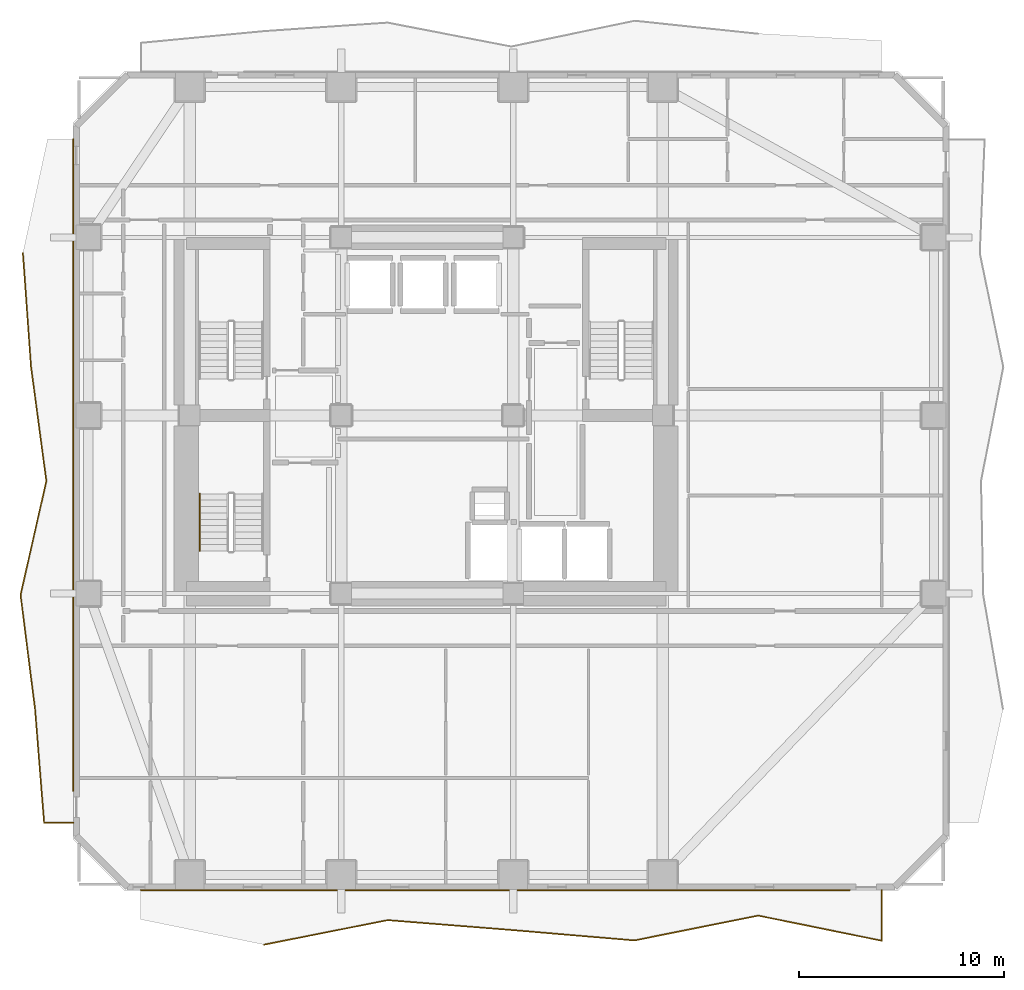
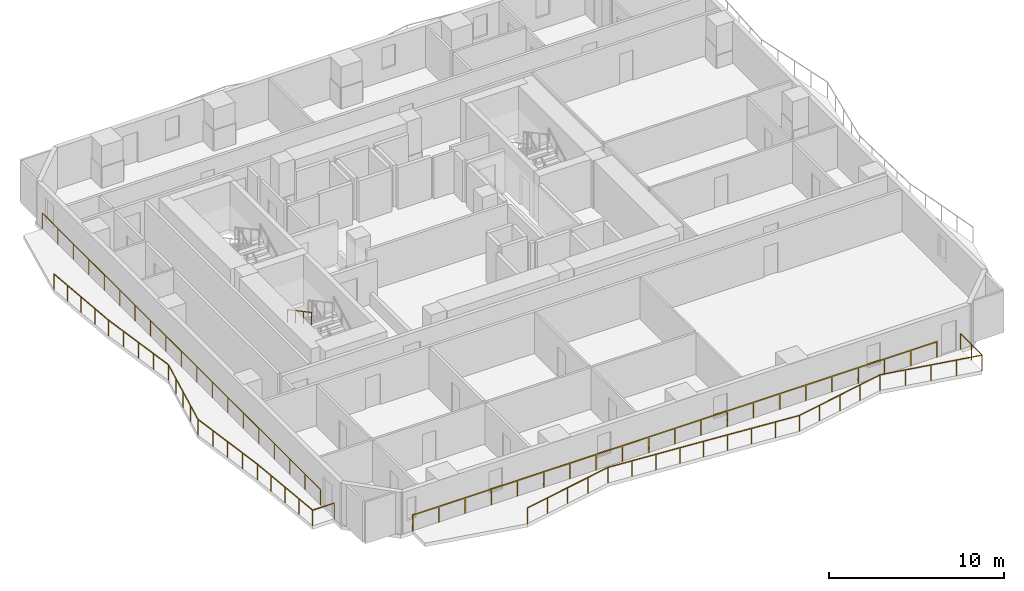
# One storey, part 7 of 9: 5 railings.
"""IFC4 building model written with IfcOpenShell, lengths in metres."""

from ifc_helpers import new_model, si_unit, direction, frame, origin, origin_2d, place, context, subcontext, project, spatial, rectangle, extrude, material, type_object, element, save


model = new_model("IFC4")

# Units and contexts
model_context = context("Model", 3, precision=1e-05, world=origin(), true_north=direction((0.0, 1.0)))
body_context = subcontext(model_context, "Body", "Model", "MODEL_VIEW")
ifc_project = project(units=[si_unit("LENGTHUNIT", "METRE"), si_unit("AREAUNIT", "SQUARE_METRE"), si_unit("VOLUMEUNIT", "CUBIC_METRE"), si_unit("PLANEANGLEUNIT", "RADIAN"), si_unit("MASSUNIT", "GRAM", prefix="KILO")], contexts=[model_context])

# Site, building, storey
site_placement = place(None, origin())
site = spatial("IfcSite", under=ifc_project, at=site_placement, CompositionType="ELEMENT")
building_placement = place(site_placement, origin())
building = spatial("IfcBuilding", under=site, at=building_placement, Name="Solanera Arch Residences", CompositionType="ELEMENT")
storey_placement = place(building_placement, frame((0.0, 0.0, 58.52001953125)))
storey = spatial("IfcBuildingStorey", under=building, at=storey_placement, Name="L16", CompositionType="ELEMENT", Elevation=58.52001953125)

# Railings
ifc_material_1 = material(Name="Steel S355 (ASTM A992 / A572 Grade 50)", Category="steel")
railing_type_1 = type_object("IfcRailingType", Name="Balustrade Railing BL-1100", PredefinedType="BALUSTRADE", material=ifc_material_1)
railing_1_placement = place(storey_placement, frame((17.032958984375, 4.85107421875, 0.0)))
element("IfcRailing", 1, at=railing_1_placement, inside=storey, type_object=railing_type_1, Name="L16 S Balcony Balustrade 1", PredefinedType="BALUSTRADE", context=body_context, shape_type="SweptSolid", body=[
    extrude(rectangle(XDim=0.048095703125, YDim=0.048095703125, at=origin_2d()), frame((0.0, 0.0, 1.09619140625), z_axis=(0.980854466811, 0.194742175547, 0.0), x_axis=(-0.194742175547, 0.980854466811, 0.0)), (0.0, 0.0, 1.0), 6.151611328125),
    extrude(rectangle(XDim=0.048095703125, YDim=0.048095703125, at=origin_2d()), frame((6.033935546875, 1.197998046875, 1.09619140625), z_axis=(0.996850325799, -0.079305913747, 0.0), x_axis=(0.079305913747, 0.996850325799, 0.0)), (0.0, 0.0, 1.0), 6.05224609375),
    extrude(rectangle(XDim=0.048095703125, YDim=0.048095703125, at=origin_2d()), frame((12.067138671875, 0.718017578125, 1.09619140625), z_axis=(0.996432214258, -0.084396933529, 0.0), x_axis=(0.084396933529, 0.996432214258, 0.0)), (0.0, 0.0, 1.0), 6.054443359375),
    extrude(rectangle(XDim=0.048095703125, YDim=0.048095703125, at=origin_2d()), frame((18.10009765625, 0.20703125, 1.09619140625), z_axis=(0.980420146666, 0.196917079023, 0.0), x_axis=(-0.196917079023, 0.980420146666, 0.0)), (0.0, 0.0, 1.0), 6.154541015625),
    extrude(rectangle(XDim=0.048095703125, YDim=0.048095703125, at=origin_2d()), frame((24.134033203125, 1.4189453125, 1.09619140625), z_axis=(0.979998318289, -0.199005769138, 0.0), x_axis=(0.199005769138, 0.979998318289, 0.0)), (0.0, 0.0, 1.0), 6.156005859375),
    extrude(rectangle(XDim=0.048095703125, YDim=0.048095703125, at=origin_2d()), frame((30.1669921875, 0.19384765625, 1.09619140625), z_axis=(0.0, 1.0, 0.0), x_axis=(-1.0, 0.0, 0.0)), (0.0, 0.0, 1.0), 2.47509765625),
    extrude(rectangle(XDim=0.0419921875, YDim=0.0419921875, at=origin_2d()), origin(), (0.0, 0.0, 1.0), 1.072021484375),
    extrude(rectangle(XDim=0.0419921875, YDim=0.0419921875, at=origin_2d()), frame((1.508544921875, 0.299560546875, 0.0)), (0.0, 0.0, 1.0), 1.072021484375),
    extrude(rectangle(XDim=0.0419921875, YDim=0.0419921875, at=origin_2d()), frame((3.01708984375, 0.59912109375, 0.0)), (0.0, 0.0, 1.0), 1.072021484375),
    extrude(rectangle(XDim=0.0419921875, YDim=0.0419921875, at=origin_2d()), frame((4.525390625, 0.8984375, 0.0)), (0.0, 0.0, 1.0), 1.072021484375),
    extrude(rectangle(XDim=0.0419921875, YDim=0.0419921875, at=origin_2d()), frame((6.033935546875, 1.197998046875, 0.0)), (0.0, 0.0, 1.0), 1.072021484375),
    extrude(rectangle(XDim=0.0419921875, YDim=0.0419921875, at=origin_2d()), frame((7.542236328125, 1.078125, 0.0)), (0.0, 0.0, 1.0), 1.072021484375),
    extrude(rectangle(XDim=0.0419921875, YDim=0.0419921875, at=origin_2d()), frame((9.050537109375, 0.9580078125, 0.0)), (0.0, 0.0, 1.0), 1.072021484375),
    extrude(rectangle(XDim=0.0419921875, YDim=0.0419921875, at=origin_2d()), frame((10.558837890625, 0.837890625, 0.0)), (0.0, 0.0, 1.0), 1.072021484375),
    extrude(rectangle(XDim=0.0419921875, YDim=0.0419921875, at=origin_2d()), frame((12.067138671875, 0.718017578125, 0.0)), (0.0, 0.0, 1.0), 1.072021484375),
    extrude(rectangle(XDim=0.0419921875, YDim=0.0419921875, at=origin_2d()), frame((13.575439453125, 0.59033203125, 0.0)), (0.0, 0.0, 1.0), 1.072021484375),
    extrude(rectangle(XDim=0.0419921875, YDim=0.0419921875, at=origin_2d()), frame((15.08349609375, 0.46240234375, 0.0)), (0.0, 0.0, 1.0), 1.072021484375),
    extrude(rectangle(XDim=0.0419921875, YDim=0.0419921875, at=origin_2d()), frame((16.591796875, 0.334716796875, 0.0)), (0.0, 0.0, 1.0), 1.072021484375),
    extrude(rectangle(XDim=0.0419921875, YDim=0.0419921875, at=origin_2d()), frame((18.10009765625, 0.20703125, 0.0)), (0.0, 0.0, 1.0), 1.072021484375),
    extrude(rectangle(XDim=0.0419921875, YDim=0.0419921875, at=origin_2d()), frame((19.608642578125, 0.510009765625, 0.0)), (0.0, 0.0, 1.0), 1.072021484375),
    extrude(rectangle(XDim=0.0419921875, YDim=0.0419921875, at=origin_2d()), frame((21.1171875, 0.81298828125, 0.0)), (0.0, 0.0, 1.0), 1.072021484375),
    extrude(rectangle(XDim=0.0419921875, YDim=0.0419921875, at=origin_2d()), frame((22.62548828125, 1.115966796875, 0.0)), (0.0, 0.0, 1.0), 1.072021484375),
    extrude(rectangle(XDim=0.0419921875, YDim=0.0419921875, at=origin_2d()), frame((24.134033203125, 1.4189453125, 0.0)), (0.0, 0.0, 1.0), 1.072021484375),
    extrude(rectangle(XDim=0.0419921875, YDim=0.0419921875, at=origin_2d()), frame((25.642333984375, 1.11279296875, 0.0)), (0.0, 0.0, 1.0), 1.072021484375),
    extrude(rectangle(XDim=0.0419921875, YDim=0.0419921875, at=origin_2d()), frame((27.150390625, 0.806396484375, 0.0)), (0.0, 0.0, 1.0), 1.072021484375),
    extrude(rectangle(XDim=0.0419921875, YDim=0.0419921875, at=origin_2d()), frame((28.65869140625, 0.5, 0.0)), (0.0, 0.0, 1.0), 1.072021484375),
    extrude(rectangle(XDim=0.0419921875, YDim=0.0419921875, at=origin_2d()), frame((30.1669921875, 0.19384765625, 0.0)), (0.0, 0.0, 1.0), 1.072021484375),
    extrude(rectangle(XDim=0.0419921875, YDim=0.0419921875, at=origin_2d()), frame((30.1669921875, 1.431396484375, 0.0)), (0.0, 0.0, 1.0), 1.072021484375),
    extrude(rectangle(XDim=0.0419921875, YDim=0.0419921875, at=origin_2d()), frame((30.1669921875, 2.6689453125, 0.0)), (0.0, 0.0, 1.0), 1.072021484375),
])
railing_2_placement = place(storey_placement, frame((45.634033203125, 7.52001953125, 0.0)))
element("IfcRailing", 2, at=railing_2_placement, inside=storey, type_object=railing_type_1, Name="L16 S Balcony Balustrade 2", PredefinedType="BALUSTRADE", context=body_context, shape_type="SweptSolid", body=[
    extrude(rectangle(XDim=0.048095703125, YDim=0.048095703125, at=origin_2d()), frame((0.0, 0.0, 1.09619140625), z_axis=(-1.0, 0.0, 0.0), x_axis=(0.0, -1.0, 0.0)), (0.0, 0.0, 1.0), 34.634033203125),
    extrude(rectangle(XDim=0.0419921875, YDim=0.0419921875, at=origin_2d()), origin(), (0.0, 0.0, 1.0), 1.072021484375),
    extrude(rectangle(XDim=0.0419921875, YDim=0.0419921875, at=origin_2d()), frame((-1.731689453125, 0.0, 0.0)), (0.0, 0.0, 1.0), 1.072021484375),
    extrude(rectangle(XDim=0.0419921875, YDim=0.0419921875, at=origin_2d()), frame((-3.46337890625, 0.0, 0.0)), (0.0, 0.0, 1.0), 1.072021484375),
    extrude(rectangle(XDim=0.0419921875, YDim=0.0419921875, at=origin_2d()), frame((-5.195068359375, 0.0, 0.0)), (0.0, 0.0, 1.0), 1.072021484375),
    extrude(rectangle(XDim=0.0419921875, YDim=0.0419921875, at=origin_2d()), frame((-6.9267578125, 0.0, 0.0)), (0.0, 0.0, 1.0), 1.072021484375),
    extrude(rectangle(XDim=0.0419921875, YDim=0.0419921875, at=origin_2d()), frame((-8.658447265625, 0.0, 0.0)), (0.0, 0.0, 1.0), 1.072021484375),
    extrude(rectangle(XDim=0.0419921875, YDim=0.0419921875, at=origin_2d()), frame((-10.39013671875, 0.0, 0.0)), (0.0, 0.0, 1.0), 1.072021484375),
    extrude(rectangle(XDim=0.0419921875, YDim=0.0419921875, at=origin_2d()), frame((-12.121826171875, 0.0, 0.0)), (0.0, 0.0, 1.0), 1.072021484375),
    extrude(rectangle(XDim=0.0419921875, YDim=0.0419921875, at=origin_2d()), frame((-13.853515625, 0.0, 0.0)), (0.0, 0.0, 1.0), 1.072021484375),
    extrude(rectangle(XDim=0.0419921875, YDim=0.0419921875, at=origin_2d()), frame((-15.585205078125, 0.0, 0.0)), (0.0, 0.0, 1.0), 1.072021484375),
    extrude(rectangle(XDim=0.0419921875, YDim=0.0419921875, at=origin_2d()), frame((-17.31689453125, 0.0, 0.0)), (0.0, 0.0, 1.0), 1.072021484375),
    extrude(rectangle(XDim=0.0419921875, YDim=0.0419921875, at=origin_2d()), frame((-19.048828125, 0.0, 0.0)), (0.0, 0.0, 1.0), 1.072021484375),
    extrude(rectangle(XDim=0.0419921875, YDim=0.0419921875, at=origin_2d()), frame((-20.780517578125, 0.0, 0.0)), (0.0, 0.0, 1.0), 1.072021484375),
    extrude(rectangle(XDim=0.0419921875, YDim=0.0419921875, at=origin_2d()), frame((-22.51220703125, 0.0, 0.0)), (0.0, 0.0, 1.0), 1.072021484375),
    extrude(rectangle(XDim=0.0419921875, YDim=0.0419921875, at=origin_2d()), frame((-24.243896484375, 0.0, 0.0)), (0.0, 0.0, 1.0), 1.072021484375),
    extrude(rectangle(XDim=0.0419921875, YDim=0.0419921875, at=origin_2d()), frame((-25.9755859375, 0.0, 0.0)), (0.0, 0.0, 1.0), 1.072021484375),
    extrude(rectangle(XDim=0.0419921875, YDim=0.0419921875, at=origin_2d()), frame((-27.707275390625, 0.0, 0.0)), (0.0, 0.0, 1.0), 1.072021484375),
    extrude(rectangle(XDim=0.0419921875, YDim=0.0419921875, at=origin_2d()), frame((-29.43896484375, 0.0, 0.0)), (0.0, 0.0, 1.0), 1.072021484375),
    extrude(rectangle(XDim=0.0419921875, YDim=0.0419921875, at=origin_2d()), frame((-31.170654296875, 0.0, 0.0)), (0.0, 0.0, 1.0), 1.072021484375),
    extrude(rectangle(XDim=0.0419921875, YDim=0.0419921875, at=origin_2d()), frame((-32.90234375, 0.0, 0.0)), (0.0, 0.0, 1.0), 1.072021484375),
    extrude(rectangle(XDim=0.0419921875, YDim=0.0419921875, at=origin_2d()), frame((-34.634033203125, 0.0, 0.0)), (0.0, 0.0, 1.0), 1.072021484375),
])
railing_3_placement = place(storey_placement, frame((5.2509765625, 38.633056640625, 0.0)))
element("IfcRailing", 3, at=railing_3_placement, inside=storey, type_object=railing_type_1, Name="L16 W Balcony Balustrade 1", PredefinedType="BALUSTRADE", context=body_context, shape_type="SweptSolid", body=[
    extrude(rectangle(XDim=0.048095703125, YDim=0.048095703125, at=origin_2d()), frame((0.0, 0.0, 1.09619140625), z_axis=(0.071312341568, -0.997454033999, 0.0), x_axis=(0.997454033999, 0.071312341568, 0.0)), (0.0, 0.0, 1.0), 5.580322265625),
    extrude(rectangle(XDim=0.048095703125, YDim=0.048095703125, at=origin_2d()), frame((0.39794921875, -5.566162109375, 1.09619140625), z_axis=(0.133177205041, -0.991092241952, 0.0), x_axis=(0.991092241952, 0.133177205041, 0.0)), (0.0, 0.0, 1.0), 5.616943359375),
    extrude(rectangle(XDim=0.048095703125, YDim=0.048095703125, at=origin_2d()), frame((1.14599609375, -11.133056640625, 1.09619140625), z_axis=(-0.2209185396, -0.975292263304, 0.0), x_axis=(0.975292263304, -0.2209185396, 0.0)), (0.0, 0.0, 1.0), 5.7080078125),
    extrude(rectangle(XDim=0.048095703125, YDim=0.048095703125, at=origin_2d()), frame((-0.114990234375, -16.699951171875, 1.09619140625), z_axis=(0.126010600465, -0.992028895028, 0.0), x_axis=(0.992028895028, 0.126010600465, 0.0)), (0.0, 0.0, 1.0), 5.61083984375),
    extrude(rectangle(XDim=0.048095703125, YDim=0.048095703125, at=origin_2d()), frame((0.592041015625, -22.26611328125, 1.09619140625), z_axis=(0.079694833747, -0.996819308337, 0.0), x_axis=(0.996819308337, 0.079694833747, 0.0)), (0.0, 0.0, 1.0), 5.584716796875),
    extrude(rectangle(XDim=0.048095703125, YDim=0.048095703125, at=origin_2d()), frame((1.037109375, -27.8330078125, 1.09619140625), z_axis=(1.0, 0.0, 0.0), x_axis=(0.0, 1.0, 0.0)), (0.0, 0.0, 1.0), 1.431884765625),
    extrude(rectangle(XDim=0.0419921875, YDim=0.0419921875, at=origin_2d()), origin(), (0.0, 0.0, 1.0), 1.072021484375),
    extrude(rectangle(XDim=0.0419921875, YDim=0.0419921875, at=origin_2d()), frame((0.099609375, -1.3916015625, 0.0)), (0.0, 0.0, 1.0), 1.072021484375),
    extrude(rectangle(XDim=0.0419921875, YDim=0.0419921875, at=origin_2d()), frame((0.198974609375, -2.783203125, 0.0)), (0.0, 0.0, 1.0), 1.072021484375),
    extrude(rectangle(XDim=0.0419921875, YDim=0.0419921875, at=origin_2d()), frame((0.29833984375, -4.174560546875, 0.0)), (0.0, 0.0, 1.0), 1.072021484375),
    extrude(rectangle(XDim=0.0419921875, YDim=0.0419921875, at=origin_2d()), frame((0.39794921875, -5.566162109375, 0.0)), (0.0, 0.0, 1.0), 1.072021484375),
    extrude(rectangle(XDim=0.0419921875, YDim=0.0419921875, at=origin_2d()), frame((0.5849609375, -6.9580078125, 0.0)), (0.0, 0.0, 1.0), 1.072021484375),
    extrude(rectangle(XDim=0.0419921875, YDim=0.0419921875, at=origin_2d()), frame((0.77197265625, -8.349609375, 0.0)), (0.0, 0.0, 1.0), 1.072021484375),
    extrude(rectangle(XDim=0.0419921875, YDim=0.0419921875, at=origin_2d()), frame((0.958984375, -9.7412109375, 0.0)), (0.0, 0.0, 1.0), 1.072021484375),
    extrude(rectangle(XDim=0.0419921875, YDim=0.0419921875, at=origin_2d()), frame((1.14599609375, -11.133056640625, 0.0)), (0.0, 0.0, 1.0), 1.072021484375),
    extrude(rectangle(XDim=0.0419921875, YDim=0.0419921875, at=origin_2d()), frame((0.830810546875, -12.52490234375, 0.0)), (0.0, 0.0, 1.0), 1.072021484375),
    extrude(rectangle(XDim=0.0419921875, YDim=0.0419921875, at=origin_2d()), frame((0.515625, -13.91650390625, 0.0)), (0.0, 0.0, 1.0), 1.072021484375),
    extrude(rectangle(XDim=0.0419921875, YDim=0.0419921875, at=origin_2d()), frame((0.2001953125, -15.30810546875, 0.0)), (0.0, 0.0, 1.0), 1.072021484375),
    extrude(rectangle(XDim=0.0419921875, YDim=0.0419921875, at=origin_2d()), frame((-0.114990234375, -16.699951171875, 0.0)), (0.0, 0.0, 1.0), 1.072021484375),
    extrude(rectangle(XDim=0.0419921875, YDim=0.0419921875, at=origin_2d()), frame((0.061767578125, -18.091552734375, 0.0)), (0.0, 0.0, 1.0), 1.072021484375),
    extrude(rectangle(XDim=0.0419921875, YDim=0.0419921875, at=origin_2d()), frame((0.238525390625, -19.48291015625, 0.0)), (0.0, 0.0, 1.0), 1.072021484375),
    extrude(rectangle(XDim=0.0419921875, YDim=0.0419921875, at=origin_2d()), frame((0.415283203125, -20.87451171875, 0.0)), (0.0, 0.0, 1.0), 1.072021484375),
    extrude(rectangle(XDim=0.0419921875, YDim=0.0419921875, at=origin_2d()), frame((0.592041015625, -22.26611328125, 0.0)), (0.0, 0.0, 1.0), 1.072021484375),
    extrude(rectangle(XDim=0.0419921875, YDim=0.0419921875, at=origin_2d()), frame((0.703369140625, -23.65771484375, 0.0)), (0.0, 0.0, 1.0), 1.072021484375),
    extrude(rectangle(XDim=0.0419921875, YDim=0.0419921875, at=origin_2d()), frame((0.814453125, -25.049560546875, 0.0)), (0.0, 0.0, 1.0), 1.072021484375),
    extrude(rectangle(XDim=0.0419921875, YDim=0.0419921875, at=origin_2d()), frame((0.92578125, -26.44140625, 0.0)), (0.0, 0.0, 1.0), 1.072021484375),
    extrude(rectangle(XDim=0.0419921875, YDim=0.0419921875, at=origin_2d()), frame((1.037109375, -27.8330078125, 0.0)), (0.0, 0.0, 1.0), 1.072021484375),
    extrude(rectangle(XDim=0.0419921875, YDim=0.0419921875, at=origin_2d()), frame((2.468994140625, -27.8330078125, 0.0)), (0.0, 0.0, 1.0), 1.072021484375),
])
railing_4_placement = place(storey_placement, frame((7.719970703125, 12.365966796875, 0.0)))
element("IfcRailing", 4, at=railing_4_placement, inside=storey, type_object=railing_type_1, Name="L16 W Balcony Balustrade 2", PredefinedType="BALUSTRADE", context=body_context, shape_type="SweptSolid", body=[
    extrude(rectangle(XDim=0.048095703125, YDim=0.048095703125, at=origin_2d()), frame((0.0, 0.0, 1.09619140625), z_axis=(0.0, 1.0, 0.0), x_axis=(-1.0, 0.0, 0.0)), (0.0, 0.0, 1.0), 31.833984375),
    extrude(rectangle(XDim=0.0419921875, YDim=0.0419921875, at=origin_2d()), origin(), (0.0, 0.0, 1.0), 1.072021484375),
    extrude(rectangle(XDim=0.0419921875, YDim=0.0419921875, at=origin_2d()), frame((0.0, 1.7685546875, 0.0)), (0.0, 0.0, 1.0), 1.072021484375),
    extrude(rectangle(XDim=0.0419921875, YDim=0.0419921875, at=origin_2d()), frame((0.0, 3.537109375, 0.0)), (0.0, 0.0, 1.0), 1.072021484375),
    extrude(rectangle(XDim=0.0419921875, YDim=0.0419921875, at=origin_2d()), frame((0.0, 5.3056640625, 0.0)), (0.0, 0.0, 1.0), 1.072021484375),
    extrude(rectangle(XDim=0.0419921875, YDim=0.0419921875, at=origin_2d()), frame((0.0, 7.07421875, 0.0)), (0.0, 0.0, 1.0), 1.072021484375),
    extrude(rectangle(XDim=0.0419921875, YDim=0.0419921875, at=origin_2d()), frame((0.0, 8.8427734375, 0.0)), (0.0, 0.0, 1.0), 1.072021484375),
    extrude(rectangle(XDim=0.0419921875, YDim=0.0419921875, at=origin_2d()), frame((0.0, 10.611328125, 0.0)), (0.0, 0.0, 1.0), 1.072021484375),
    extrude(rectangle(XDim=0.0419921875, YDim=0.0419921875, at=origin_2d()), frame((0.0, 12.3798828125, 0.0)), (0.0, 0.0, 1.0), 1.072021484375),
    extrude(rectangle(XDim=0.0419921875, YDim=0.0419921875, at=origin_2d()), frame((0.0, 14.1484375, 0.0)), (0.0, 0.0, 1.0), 1.072021484375),
    extrude(rectangle(XDim=0.0419921875, YDim=0.0419921875, at=origin_2d()), frame((0.0, 15.9169921875, 0.0)), (0.0, 0.0, 1.0), 1.072021484375),
    extrude(rectangle(XDim=0.0419921875, YDim=0.0419921875, at=origin_2d()), frame((0.0, 17.685546875, 0.0)), (0.0, 0.0, 1.0), 1.072021484375),
    extrude(rectangle(XDim=0.0419921875, YDim=0.0419921875, at=origin_2d()), frame((0.0, 19.4541015625, 0.0)), (0.0, 0.0, 1.0), 1.072021484375),
    extrude(rectangle(XDim=0.0419921875, YDim=0.0419921875, at=origin_2d()), frame((0.0, 21.22265625, 0.0)), (0.0, 0.0, 1.0), 1.072021484375),
    extrude(rectangle(XDim=0.0419921875, YDim=0.0419921875, at=origin_2d()), frame((0.0, 22.9912109375, 0.0)), (0.0, 0.0, 1.0), 1.072021484375),
    extrude(rectangle(XDim=0.0419921875, YDim=0.0419921875, at=origin_2d()), frame((0.0, 24.759765625, 0.0)), (0.0, 0.0, 1.0), 1.072021484375),
    extrude(rectangle(XDim=0.0419921875, YDim=0.0419921875, at=origin_2d()), frame((0.0, 26.5283203125, 0.0)), (0.0, 0.0, 1.0), 1.072021484375),
    extrude(rectangle(XDim=0.0419921875, YDim=0.0419921875, at=origin_2d()), frame((0.0, 28.296875, 0.0)), (0.0, 0.0, 1.0), 1.072021484375),
    extrude(rectangle(XDim=0.0419921875, YDim=0.0419921875, at=origin_2d()), frame((0.0, 30.0654296875, 0.0)), (0.0, 0.0, 1.0), 1.072021484375),
    extrude(rectangle(XDim=0.0419921875, YDim=0.0419921875, at=origin_2d()), frame((0.0, 31.833984375, 0.0)), (0.0, 0.0, 1.0), 1.072021484375),
])
ifc_material_2 = material(Name="Steel S355 (ASTM A992 / A572 Grade 50)", Category="steel")
railing_type_2 = type_object("IfcRailingType", Name="Stair Wall Handrail HR-920", PredefinedType="HANDRAIL", material=ifc_material_2)
railing_5_placement = place(storey_placement, frame((13.889892578125, 26.8701171875, 1.825927734375)))
element("IfcRailing", 5, at=railing_5_placement, inside=storey, type_object=railing_type_2, Name="L16 ST-T3 stair handrail 2", PredefinedType="HANDRAIL", context=body_context, shape_type="SweptSolid", body=[
    extrude(rectangle(XDim=0.048095703125, YDim=0.048095703125, at=origin_2d()), frame((0.0, 0.0, 0.8759765625), z_axis=(0.0, -0.881548766853, 0.472092969298), x_axis=(1.0, 0.0, 0.0)), (0.0, 0.0, 1.0), 3.1650390625),
    extrude(rectangle(XDim=0.0419921875, YDim=0.0419921875, at=origin_2d()), origin(), (0.0, 0.0, 1.0), 0.851806640625),
    extrude(rectangle(XDim=0.0419921875, YDim=0.0419921875, at=origin_2d()), frame((0.0, -0.929931640625, 0.498046875)), (0.0, 0.0, 1.0), 0.851806640625),
    extrude(rectangle(XDim=0.0419921875, YDim=0.0419921875, at=origin_2d()), frame((0.0, -1.860107421875, 0.99609375)), (0.0, 0.0, 1.0), 0.851806640625),
    extrude(rectangle(XDim=0.0419921875, YDim=0.0419921875, at=origin_2d()), frame((0.0, -2.7900390625, 1.494140625)), (0.0, 0.0, 1.0), 0.851806640625),
])

save(model, "model.ifc")
